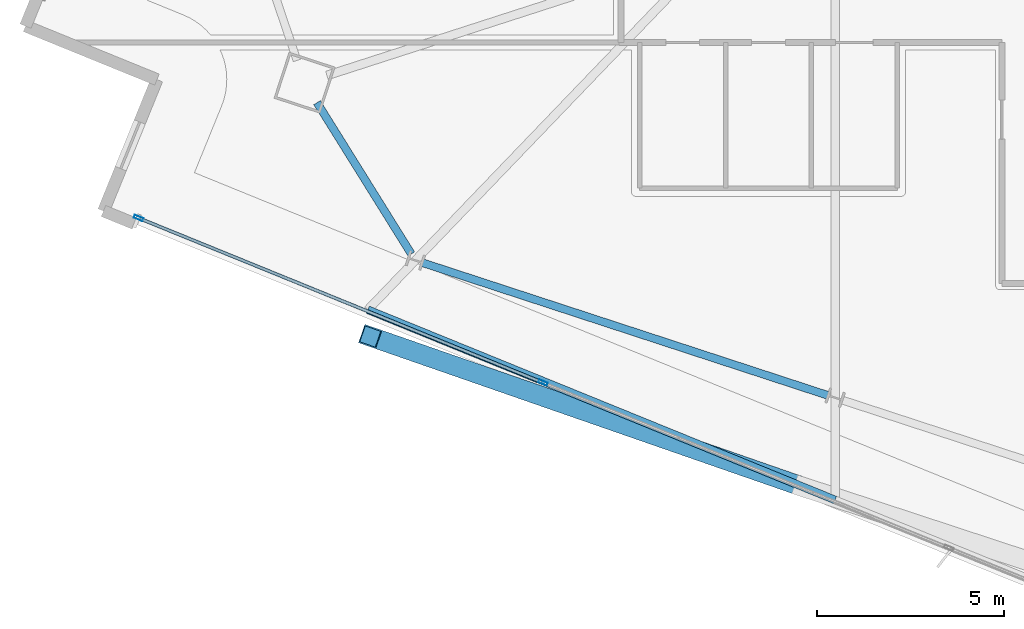
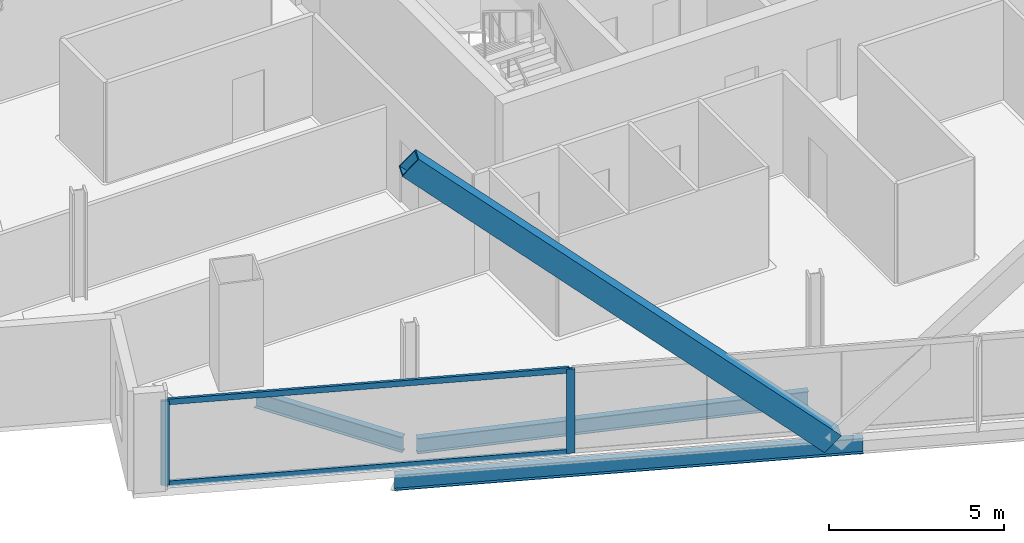
# One storey, part 2 of 31: 5 members, 3 beams, 1 element without a shape of its own.
"""IFC4 building model written with IfcOpenShell, lengths in metres."""

from ifc_helpers import new_model, si_unit, direction, frame, origin, origin_2d, place, context, subcontext, project, spatial, hollow_rectangle, i_section, extrude, material, material_profile, profile_set, type_object, element, aggregate, save


model = new_model("IFC4")

# Units and contexts
model_context = context("Model", 3, precision=1e-05, world=origin(), true_north=direction((0.0, 1.0)))
body_context = subcontext(model_context, "Body", "Model", "MODEL_VIEW")
ifc_project = project(units=[si_unit("LENGTHUNIT", "METRE"), si_unit("AREAUNIT", "SQUARE_METRE"), si_unit("VOLUMEUNIT", "CUBIC_METRE"), si_unit("PLANEANGLEUNIT", "RADIAN"), si_unit("MASSUNIT", "GRAM", prefix="KILO")], contexts=[model_context])

# Site, building, storey
site_placement = place(None, origin())
site = spatial("IfcSite", under=ifc_project, at=site_placement, CompositionType="ELEMENT")
building_placement = place(site_placement, origin())
building = spatial("IfcBuilding", under=site, at=building_placement, Name="Haldenkirk Collegiate Tower", CompositionType="ELEMENT")
storey_placement = place(building_placement, frame((0.0, 0.0, 256.199951171875)))
storey = spatial("IfcBuildingStorey", under=building, at=storey_placement, Name="L64", CompositionType="ELEMENT", Elevation=256.199951171875)

# Beams
ifc_material_1 = material(Name="Steel ASTM A992 Grade 50", Category="steel")
ifc_material_profile_1 = material_profile(ifc_material_1, i_section(OverallWidth=0.2099609375, OverallDepth=0.537109375, WebThickness=0.010986328125, FlangeThickness=0.017333984375, at=origin_2d()), Name="W21X68")
ifc_profile_set_1 = profile_set([ifc_material_profile_1], Name="Steel ASTM A992 Grade 50")
beam_type = type_object("IfcBeamType", Name="BM-SPANDREL-W21X68", PredefinedType="SPANDREL", material=ifc_profile_set_1)
beam_1_placement = place(storey_placement, frame((16.41064453125, 13.939697265625, -0.538330078125), z_axis=(0.528899826427, -0.848684260255, 0.0), x_axis=(0.848684260255, 0.528899826427, 0.0)))
element("IfcBeam", 1, at=beam_1_placement, inside=storey, type_object=beam_type, Name="L64 perimeter spandrel beam 13", PredefinedType="SPANDREL", context=body_context, shape_type="SweptSolid", body=[
    extrude(i_section(OverallWidth=0.2099609375, OverallDepth=0.537109375, WebThickness=0.010986328125, FlangeThickness=0.017333984375, at=origin_2d()), origin(), (0.0, 0.0, 1.0), 4.77392578125),
])
beam_2_placement = place(storey_placement, frame((19.235107421875, 9.6533203125, -0.538330078125), z_axis=(0.950408846531, -0.311003254701, 0.0), x_axis=(0.311003254701, 0.950408846531, 0.0)))
element("IfcBeam", 2, at=beam_2_placement, inside=storey, type_object=beam_type, Name="L64 perimeter spandrel beam 14", PredefinedType="SPANDREL", context=body_context, shape_type="SweptSolid", body=[
    extrude(i_section(OverallWidth=0.2099609375, OverallDepth=0.537109375, WebThickness=0.010986328125, FlangeThickness=0.017333984375, at=origin_2d()), origin(), (0.0, 0.0, 1.0), 11.421875),
])
beam_3_placement = place(storey_placement, frame((17.771728515625, 8.393310546875, -0.538330078125), z_axis=(0.926202248633, -0.377027047607, 0.0), x_axis=(0.377027047607, 0.926202248633, 0.0)))
element("IfcBeam", 3, at=beam_3_placement, inside=storey, type_object=beam_type, Name="L64 outer facade edge beam 4A", PredefinedType="SPANDREL", context=body_context, shape_type="SweptSolid", body=[
    extrude(i_section(OverallWidth=0.2099609375, OverallDepth=0.537109375, WebThickness=0.010986328125, FlangeThickness=0.017333984375, at=origin_2d()), origin(), (0.0, 0.0, 1.0), 13.50830078125),
])

# Curtain wall, members
ifc_material_2 = material(Name="Anodised architectural bronze aluminium", Category="aluminium")
curtain_wall_type = type_object("IfcCurtainWallType", Name="CW-SYS1B-CONVEX-HI", PredefinedType="USERDEFINED", material=ifc_material_2)
curtain_wall_placement = place(storey_placement, origin())
curtain_wall = element("IfcCurtainWall", 4, at=curtain_wall_placement, inside=storey, type_object=curtain_wall_type, Name="L64 Upper tower high-wind convex bronze unitised curtain wall", ObjectType="UNITISED CURTAIN WALL", PredefinedType="USERDEFINED")
ifc_material_profile_2 = material_profile(ifc_material_2, hollow_rectangle(XDim=0.0849609375, YDim=0.25, WallThickness=0.0048828125, at=origin_2d()), Name="CW-MUL-1B")
ifc_profile_set_2 = profile_set([ifc_material_profile_2], Name="Anodised architectural bronze aluminium")
member_type_1 = type_object("IfcMemberType", Name="CW-MUL-1B", PredefinedType="MULLION", material=ifc_profile_set_2)
member_1_placement = place(storey_placement, frame((22.4599609375, 6.441650390625, 0.0), z_axis=(0.0, 0.0, 1.0), x_axis=(-0.377034271745, -0.926199307886, 0.0)))
member_1 = element("IfcMember", 5, at=member_1_placement, type_object=member_type_1, Name="CW-1B mullion 3", PredefinedType="MULLION", context=body_context, shape_type="SweptSolid", body=[
    extrude(hollow_rectangle(XDim=0.0849609375, YDim=0.25, WallThickness=0.0048828125, at=origin_2d()), origin(), (0.0, 0.0, 1.0), 2.93798828125),
])
member_2_placement = place(storey_placement, frame((11.632080078125, 10.849365234375, 0.0), z_axis=(0.0, 0.0, 1.0), x_axis=(-0.377034271745, -0.926199307886, 0.0)))
member_2 = element("IfcMember", 6, at=member_2_placement, type_object=member_type_1, Name="CW-1B mullion 4", PredefinedType="MULLION", context=body_context, shape_type="SweptSolid", body=[
    extrude(hollow_rectangle(XDim=0.0849609375, YDim=0.25, WallThickness=0.0048828125, at=origin_2d()), origin(), (0.0, 0.0, 1.0), 2.93798828125),
])
ifc_material_profile_3 = material_profile(ifc_material_2, hollow_rectangle(XDim=0.0849609375, YDim=0.199951171875, WallThickness=0.0048828125, at=origin_2d()), Name="CW-TRN-1B")
ifc_profile_set_3 = profile_set([ifc_material_profile_3], Name="Anodised architectural bronze aluminium")
member_type_2 = type_object("IfcMemberType", Name="CW-TRN-1B", PredefinedType="USERDEFINED", material=ifc_profile_set_3)
member_3_placement = place(storey_placement, frame((22.420654296875, 6.457763671875, 0.04248046875), z_axis=(-0.926200670133, 0.377030925317, 0.0), x_axis=(-0.377030925317, -0.926200670133, 0.0)))
member_3 = element("IfcMember", 7, at=member_3_placement, type_object=member_type_2, Name="CW-1B transom 3.1", ObjectType="TRANSOM", PredefinedType="USERDEFINED", context=body_context, shape_type="SweptSolid", body=[
    extrude(hollow_rectangle(XDim=0.0849609375, YDim=0.199951171875, WallThickness=0.0048828125, at=origin_2d()), origin(), (0.0, 0.0, 1.0), 11.605712890625),
])
member_4_placement = place(storey_placement, frame((22.420654296875, 6.457763671875, 2.8955078125), z_axis=(-0.926200670133, 0.377030925317, 0.0), x_axis=(-0.377030925317, -0.926200670133, 0.0)))
member_4 = element("IfcMember", 8, at=member_4_placement, type_object=member_type_2, Name="CW-1B transom 3.2", ObjectType="TRANSOM", PredefinedType="USERDEFINED", context=body_context, shape_type="SweptSolid", body=[
    extrude(hollow_rectangle(XDim=0.0849609375, YDim=0.199951171875, WallThickness=0.0048828125, at=origin_2d()), origin(), (0.0, 0.0, 1.0), 11.605712890625),
])
aggregate(curtain_wall, [member_1, member_2, member_3, member_4])

# Member
ifc_material_3 = material(Name="Steel ASTM A572 Grade 50", Category="steel")
ifc_material_profile_4 = material_profile(ifc_material_3, hollow_rectangle(XDim=0.52001953125, YDim=0.719970703125, WallThickness=0.035888671875, at=origin_2d()), Name="BOX720X520X36")
ifc_profile_set_4 = profile_set([ifc_material_profile_4], Name="Steel ASTM A572 Grade 50")
member_type_3 = type_object("IfcMemberType", Name="MBR-MEGABRACE-BOX720X520X36", PredefinedType="BRACE", material=ifc_profile_set_4)
member_5_placement = place(storey_placement, frame((29.44140625, 3.642822265625, -0.280029296875), z_axis=(-0.69664628607, 0.242122505357, 0.675322622533), x_axis=(-0.3282917114, -0.944576387713, 0.0)))
element("IfcMember", 9, at=member_5_placement, inside=storey, type_object=member_type_3, Name="Perimeter Mega Brace Z5 L64-L66 WL", PredefinedType="BRACE", context=body_context, shape_type="SweptSolid", body=[
    extrude(hollow_rectangle(XDim=0.52001953125, YDim=0.719970703125, WallThickness=0.035888671875, at=origin_2d()), origin(), (0.0, 0.0, 1.0), 16.65869140625),
])

save(model, "model.ifc")
